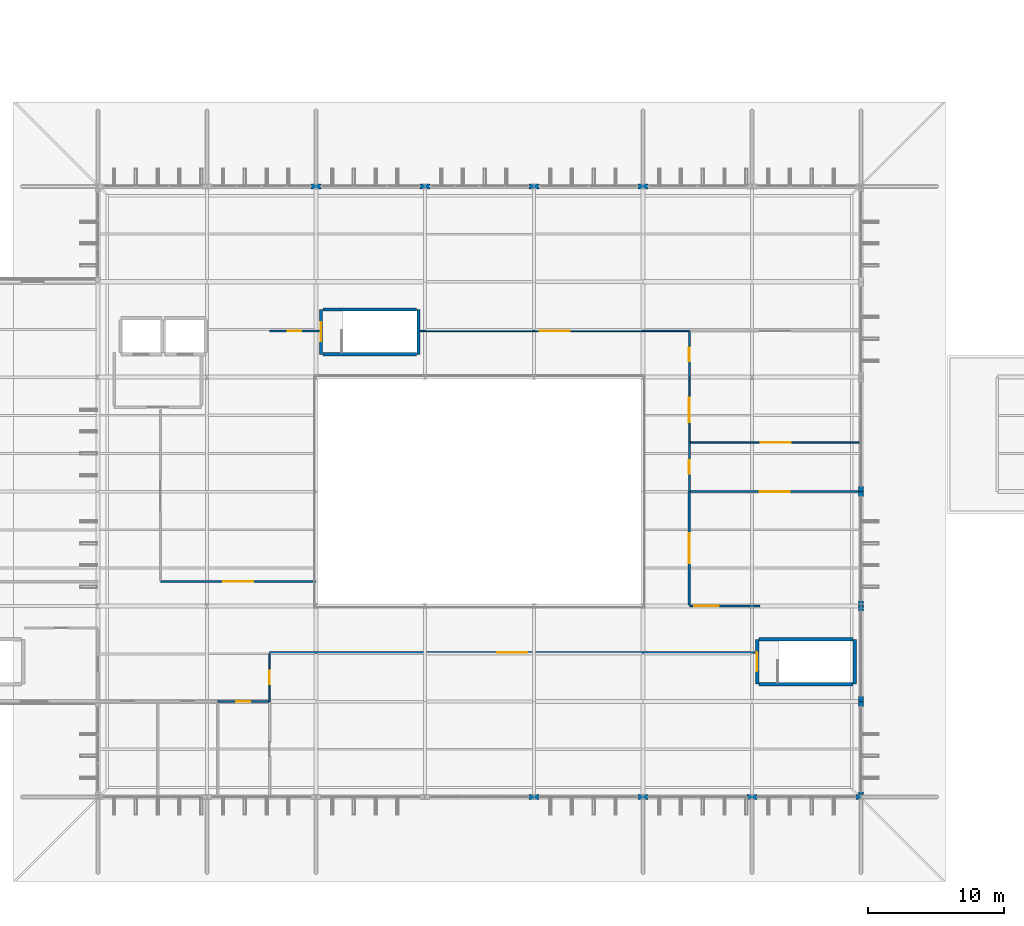
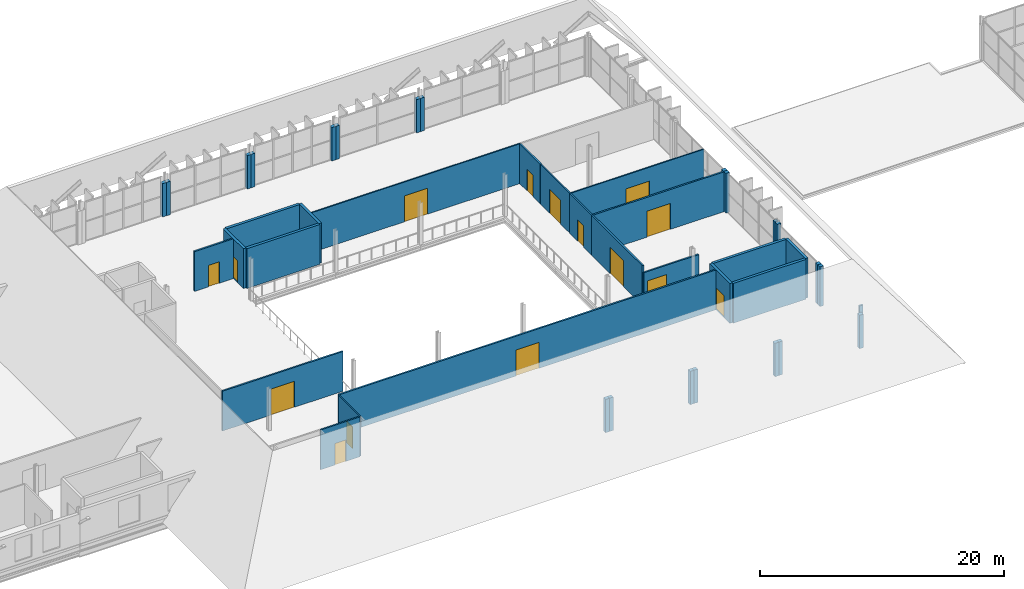
# One storey, part 82 of 93: 43 walls, 15 doors, 15 openings.
"""IFC4 building model written with IfcOpenShell, lengths in metres."""

import ifcopenshell
import ifcopenshell.guid

model = None  # the IFC model being written
_history = None  # IfcOwnerHistory: only IFC2X3 demands one
_inside = {}  # id of a spatial element -> (the spatial element, [elements in it])
_under = {}  # id of a project, library or spatial element -> (it, [spatial elements below it])
_declared = {}  # id of a project -> (the project, [libraries it declares])
_typed = {}  # id of a type object -> (the type object, [elements of that type])
_made_of = {}  # id of a material, layer set ... -> (it, [elements and type objects made of it])


def new_model(schema):
    """Start an empty IFC model of exactly this schema.

    Asked for "IFC4X3", IfcOpenShell would pick the latest addendum, in which some entities
    have other attributes; the version numbers below select the first issue.
    IFC2X3 requires an IfcOwnerHistory on every rooted entity: one is made here for all.
    """
    global model, _history
    if schema == "IFC4X3":
        model = ifcopenshell.file(schema_version=(4, 3, 0, 0))
    else:
        model = ifcopenshell.file(schema=schema)
    _inside.clear()
    _under.clear()
    _declared.clear()
    _typed.clear()
    _made_of.clear()
    _history = None
    if model.schema == "IFC2X3":
        org = make("IfcOrganization", Name="unknown")
        user = make(
            "IfcPersonAndOrganization",
            ThePerson=make("IfcPerson", FamilyName="unknown"),
            TheOrganization=org,
        )
        app = make(
            "IfcApplication",
            ApplicationDeveloper=org,
            Version="unknown",
            ApplicationFullName="unknown",
            ApplicationIdentifier="unknown",
        )
        _history = make(
            "IfcOwnerHistory",
            OwningUser=user,
            OwningApplication=app,
            ChangeAction="ADDED",
            CreationDate=0,
        )
    return model


def make(cls, **values):
    """One entity of the class cls with the attributes given. An attribute that is None is left unset."""
    return model.create_entity(
        cls, **{name: value for name, value in values.items() if value is not None}
    )


def rooted(cls, **values):
    """An entity with a GlobalId (a new one), such as an element, a storey or a relation."""
    return make(cls, GlobalId=ifcopenshell.guid.new(), OwnerHistory=_history, **values)


def si_unit(unit_type, name, prefix=None):
    """IfcSIUnit, for example si_unit("LENGTHUNIT", "METRE", prefix="MILLI")."""
    return make("IfcSIUnit", UnitType=unit_type, Prefix=prefix, Name=name)


def assignment(units):
    """IfcUnitAssignment: the units of a project."""
    return None if units is None else make("IfcUnitAssignment", Units=units)


def point(xyz):
    """IfcCartesianPoint."""
    return None if xyz is None else make("IfcCartesianPoint", Coordinates=xyz)


def direction(xyz):
    """IfcDirection."""
    return None if xyz is None else make("IfcDirection", DirectionRatios=xyz)


def frame(location, z_axis=None, x_axis=None):
    """IfcAxis2Placement3D, a coordinate frame: its origin and axes. An axis left out is left unset."""
    return make(
        "IfcAxis2Placement3D",
        Location=point(location),
        Axis=direction(z_axis),
        RefDirection=direction(x_axis),
    )


def frame_2d(location, x_axis=None):
    """IfcAxis2Placement2D, a coordinate frame in the plane: its origin and x axis."""
    return make(
        "IfcAxis2Placement2D", Location=point(location), RefDirection=direction(x_axis)
    )


def origin():
    """The frame at (0, 0, 0) with its axes left unset."""
    return frame((0.0, 0.0, 0.0))


def place(relative_to, where):
    """IfcLocalPlacement: puts the frame where relative to a parent placement (None: the world)."""
    return make(
        "IfcLocalPlacement", PlacementRelTo=relative_to, RelativePlacement=where
    )


def context(
    kind, dimensions, precision=None, world=None, true_north=None, identifier=None
):
    """IfcGeometricRepresentationContext, for example the 3D "Model" context."""
    return make(
        "IfcGeometricRepresentationContext",
        ContextIdentifier=identifier,
        ContextType=kind,
        CoordinateSpaceDimension=dimensions,
        Precision=precision,
        WorldCoordinateSystem=world,
        TrueNorth=true_north,
    )


def subcontext(parent, identifier, kind, view, scale=None):
    """IfcGeometricRepresentationSubContext, for example "Body" below "Model"."""
    return make(
        "IfcGeometricRepresentationSubContext",
        ContextIdentifier=identifier,
        ContextType=kind,
        ParentContext=parent,
        TargetScale=scale,
        TargetView=view,
    )


def project(units=None, contexts=None):
    """IfcProject with its units and contexts."""
    return rooted(
        "IfcProject",
        Name="project",
        RepresentationContexts=contexts,
        UnitsInContext=assignment(units),
    )


def spatial(cls, under=None, at=None, **own):
    """A site, building, storey or space (cls), placed at a placement, below another one or the project."""
    s = rooted(cls, ObjectPlacement=at, **own)
    if under is not None:
        _under.setdefault(under.id(), (under, []))[1].append(s)
    return s


def profile(cls, at=None, kind="AREA", **sizes):
    """A parametric profile (cls). Its sizes go by their IFC names, for example OverallWidth=200.0."""
    return make(cls, ProfileType=kind, Position=at, **sizes)


def rectangle(**sizes):
    """IfcRectangleProfileDef."""
    return profile("IfcRectangleProfileDef", **sizes)


def extrude(swept, where, along, depth):
    """IfcExtrudedAreaSolid: the profile swept, set in the frame where, extruded along a direction by depth."""
    return make(
        "IfcExtrudedAreaSolid",
        SweptArea=swept,
        Position=where,
        ExtrudedDirection=direction(along),
        Depth=depth,
    )


def shape(context_of_items, identifier, shape_type, items):
    """IfcShapeRepresentation: the items that make up one representation, for example the "Body"."""
    return make(
        "IfcShapeRepresentation",
        ContextOfItems=context_of_items,
        RepresentationIdentifier=identifier,
        RepresentationType=shape_type,
        Items=items,
    )


def material(Name=None, Category=None):
    """IfcMaterial."""
    return make("IfcMaterial", Name=Name, Category=Category)


def layer(
    of_material, thickness, ventilated=None, Name=None, Category=None, Priority=None
):
    """IfcMaterialLayer: one layer of a wall or slab, of a material (None: an air gap)."""
    return make(
        "IfcMaterialLayer",
        Material=of_material,
        LayerThickness=thickness,
        IsVentilated=ventilated,
        Name=Name,
        Category=Category,
        Priority=Priority,
    )


def layer_set(layers, Name=None):
    """IfcMaterialLayerSet."""
    return make("IfcMaterialLayerSet", MaterialLayers=layers, LayerSetName=Name)


def made_of(thing, what):
    """Note that an element or type object is made of a material, layer set ...; save() writes the relation."""
    if what is not None:
        _made_of.setdefault(what.id(), (what, []))[1].append(thing)
    return thing


def type_object(cls, material=None, **own):
    """A type object (cls), such as IfcWallType, which elements share."""
    return made_of(rooted(cls, **own), material)


def element(
    cls,
    number,
    at=None,
    inside=None,
    cuts=None,
    type_object=None,
    material=None,
    context=None,
    identifier="Body",
    shape_type=None,
    held_by="IfcProductDefinitionShape",
    body=None,
    shapes=None,
    **own,
):
    """One element of the class cls, such as IfcWall. Its Tag is "e" and its number.

    at: its placement. inside: the storey or other place that contains it. cuts: it is an
    opening in that element (IfcRelVoidsElement). A single representation is given by context,
    identifier, shape_type and body (its items); several are given by shapes. held_by: the class
    of the entity that holds the representations. save() writes the other relations.
    """
    e = rooted(cls, Tag="e%d" % number, ObjectPlacement=at, **own)
    if body is not None:
        shapes = [shape(context, identifier, shape_type, body)]
    if shapes is not None:
        e.Representation = make(held_by, Representations=shapes)
    if inside is not None:
        _inside.setdefault(inside.id(), (inside, []))[1].append(e)
    if cuts is not None:
        rooted(
            "IfcRelVoidsElement", RelatingBuildingElement=cuts, RelatedOpeningElement=e
        )
    if type_object is not None:
        _typed.setdefault(type_object.id(), (type_object, []))[1].append(e)
    return made_of(e, material)


def fill(opening, filler):
    """IfcRelFillsElement: the door or window that sits in an opening."""
    return rooted(
        "IfcRelFillsElement",
        RelatingOpeningElement=opening,
        RelatedBuildingElement=filler,
    )


def aggregate(whole, parts):
    """IfcRelAggregates: a whole, such as a stair, and the parts it consists of."""
    return rooted("IfcRelAggregates", RelatingObject=whole, RelatedObjects=parts)


def save(model, path):
    """Write the relations noted so far, then the file.

    IfcRelAggregates (storeys below a building ...), IfcRelContainedInSpatialStructure (elements
    in a storey), IfcRelDefinesByType, IfcRelAssociatesMaterial and IfcRelDeclares: one each for
    every whole, place, type object, material and project.
    """
    for whole, parts in _under.values():
        aggregate(whole, parts)
    for where, things in _inside.values():
        rooted(
            "IfcRelContainedInSpatialStructure",
            RelatedElements=things,
            RelatingStructure=where,
        )
    for kind, things in _typed.values():
        rooted("IfcRelDefinesByType", RelatedObjects=things, RelatingType=kind)
    for what, things in _made_of.values():
        rooted("IfcRelAssociatesMaterial", RelatedObjects=things, RelatingMaterial=what)
    for by, libraries in _declared.values():
        rooted("IfcRelDeclares", RelatingContext=by, RelatedDefinitions=libraries)
    model.write(path)


model = new_model("IFC4")

# Units and contexts
model_context = context("Model", 3, precision=1e-05, world=origin(), true_north=direction((0.0, 1.0)))
body_context = subcontext(model_context, "Body", "Model", "MODEL_VIEW")
ifc_project = project(units=[si_unit("LENGTHUNIT", "METRE"), si_unit("AREAUNIT", "SQUARE_METRE"), si_unit("VOLUMEUNIT", "CUBIC_METRE"), si_unit("PLANEANGLEUNIT", "RADIAN"), si_unit("MASSUNIT", "GRAM", prefix="KILO")], contexts=[model_context])

# Site, building, storey
site_placement = place(None, origin())
site = spatial("IfcSite", under=ifc_project, at=site_placement, CompositionType="ELEMENT")
building_placement = place(site_placement, origin())
building = spatial("IfcBuilding", under=site, at=building_placement, Name="Vekula Escarpment Museum", CompositionType="ELEMENT")
storey_placement = place(building_placement, frame((0.0, 0.0, 22.199951171875)))
storey = spatial("IfcBuildingStorey", under=building, at=storey_placement, Name="L05", CompositionType="ELEMENT", Elevation=22.199951171875)

# Walls
ifc_material_1 = material(Name="Inkisi arkosic sandstone masonry", Category="masonry")
ifc_layer_1 = layer(ifc_material_1, 0.35009765625)
ifc_layer_set_1 = layer_set([ifc_layer_1], Name="Inkisi arkosic sandstone masonry")
wall_type_1 = type_object("IfcWallType", Name="WL-ALM-350", PredefinedType="SOLIDWALL", material=ifc_layer_set_1)
for number, where, z_axis, x_axis, name in (
    (1, (101.639892578125, 45.60009765625, 0.0), (0.0, 0.0, 1.0), (1.0, 0.0, 0.0), "Facade Jamb Pier L05-0825B"),
    (2, (102.0, 45.60009765625, 0.0), (0.0, 0.0, 1.0), (1.0, 0.0, 0.0), "Facade Jamb Pier L05-0826A"),
    (3, (109.639892578125, 45.60009765625, 0.0), (0.0, 0.0, 1.0), (1.0, 0.0, 0.0), "Facade Jamb Pier L05-0827B"),
    (4, (110.0, 45.60009765625, 0.0), (0.0, 0.0, 1.0), (1.0, 0.0, 0.0), "Facade Jamb Pier L05-0828A"),
    (5, (117.639892578125, 45.60009765625, 0.0), (0.0, 0.0, 1.0), (1.0, 0.0, 0.0), "Facade Jamb Pier L05-0829B"),
    (6, (118.0, 45.60009765625, 0.0), (0.0, 0.0, 1.0), (1.0, 0.0, 0.0), "Facade Jamb Pier L05-0830A"),
    (7, (125.639892578125, 45.60009765625, 0.0), (0.0, 0.0, 1.0), (1.0, 0.0, 0.0), "Facade Jamb Pier L05-0831B"),
):
    element("IfcWall", number, at=place(storey_placement, frame(where, z_axis=z_axis, x_axis=x_axis)), inside=storey, type_object=wall_type_1, Name=name, PredefinedType="SOLIDWALL", context=body_context, shape_type="SweptSolid", body=[
        extrude(rectangle(XDim=0.360107421875, YDim=0.35009765625, at=frame_2d((0.18017578125, 0.0))), origin(), (0.0, 0.0, 1.0), 3.3349609375),
    ])
wall_1_placement = place(storey_placement, frame((126.0, 45.779052734375, 0.0), z_axis=(0.0, 0.0, 1.0), x_axis=(0.0, 1.0, 0.0)))
element("IfcWall", 8, at=wall_1_placement, inside=storey, type_object=wall_type_1, Name="Facade Jamb Pier L05-0832A", PredefinedType="SOLIDWALL", context=body_context, shape_type="SweptSolid", body=[
    extrude(rectangle(XDim=0.180908203125, YDim=0.35009765625, at=frame_2d((0.09033203125, 0.0))), origin(), (0.0, 0.0, 1.0), 3.97998046875),
])
wall_2_placement = place(storey_placement, frame((126.0, 52.239990234375, 0.0), z_axis=(0.0, 0.0, 1.0), x_axis=(0.0, 1.0, 0.0)))
element("IfcWall", 9, at=wall_2_placement, inside=storey, type_object=wall_type_1, Name="Facade Jamb Pier L05-0833B", PredefinedType="SOLIDWALL", context=body_context, shape_type="SweptSolid", body=[
    extrude(rectangle(XDim=0.360107421875, YDim=0.35009765625, at=frame_2d((0.18017578125, 0.0))), origin(), (0.0, 0.0, 1.0), 3.97998046875),
])
wall_3_placement = place(storey_placement, frame((126.0, 52.60009765625, 0.0), z_axis=(0.0, 0.0, 1.0), x_axis=(0.0, 1.0, 0.0)))
element("IfcWall", 10, at=wall_3_placement, inside=storey, type_object=wall_type_1, Name="Facade Jamb Pier L05-0834A", PredefinedType="SOLIDWALL", context=body_context, shape_type="SweptSolid", body=[
    extrude(rectangle(XDim=0.35986328125, YDim=0.35009765625, at=frame_2d((0.179931640625, 0.0))), origin(), (0.0, 0.0, 1.0), 3.97998046875),
])
wall_4_placement = place(storey_placement, frame((126.0, 59.239990234375, 0.0), z_axis=(0.0, 0.0, 1.0), x_axis=(0.0, 1.0, 0.0)))
element("IfcWall", 11, at=wall_4_placement, inside=storey, type_object=wall_type_1, Name="Facade Jamb Pier L05-0835B", PredefinedType="SOLIDWALL", context=body_context, shape_type="SweptSolid", body=[
    extrude(rectangle(XDim=0.360107421875, YDim=0.35009765625, at=frame_2d((0.18017578125, 0.0))), origin(), (0.0, 0.0, 1.0), 3.97998046875),
])
wall_5_placement = place(storey_placement, frame((126.0, 59.60009765625, 0.0), z_axis=(0.0, 0.0, 1.0), x_axis=(0.0, 1.0, 0.0)))
element("IfcWall", 12, at=wall_5_placement, inside=storey, type_object=wall_type_1, Name="Facade Jamb Pier L05-0836A", PredefinedType="SOLIDWALL", context=body_context, shape_type="SweptSolid", body=[
    extrude(rectangle(XDim=0.35986328125, YDim=0.35009765625, at=frame_2d((0.179931640625, 0.0))), origin(), (0.0, 0.0, 1.0), 3.97998046875),
])
for number, where, z_axis, x_axis, name in (
    (13, (126.0, 67.639892578125, 0.0), (0.0, 0.0, 1.0), (0.0, 1.0, 0.0), "Facade Jamb Pier L05-0837B"),
    (14, (126.0, 68.0, 0.0), (0.0, 0.0, 1.0), (0.0, 1.0, 0.0), "Facade Jamb Pier L05-0838A"),
):
    element("IfcWall", number, at=place(storey_placement, frame(where, z_axis=z_axis, x_axis=x_axis)), inside=storey, type_object=wall_type_1, Name=name, PredefinedType="SOLIDWALL", context=body_context, shape_type="SweptSolid", body=[
        extrude(rectangle(XDim=0.360107421875, YDim=0.35009765625, at=frame_2d((0.18017578125, 0.0))), origin(), (0.0, 0.0, 1.0), 3.97998046875),
    ])
for number, where, z_axis, x_axis, name in (
    (15, (110.360107421875, 90.39990234375, 0.0), (0.0, 0.0, 1.0), (-1.0, 0.0, 0.0), "Facade Jamb Pier L05-0847B"),
    (16, (110.0, 90.39990234375, 0.0), (0.0, 0.0, 1.0), (-1.0, 0.0, 0.0), "Facade Jamb Pier L05-0848A"),
    (17, (102.360107421875, 90.39990234375, 0.0), (0.0, 0.0, 1.0), (-1.0, 0.0, 0.0), "Facade Jamb Pier L05-0849B"),
    (18, (102.0, 90.39990234375, 0.0), (0.0, 0.0, 1.0), (-1.0, 0.0, 0.0), "Facade Jamb Pier L05-0850A"),
    (19, (94.360107421875, 90.39990234375, 0.0), (0.0, 0.0, 1.0), (-1.0, 0.0, 0.0), "Facade Jamb Pier L05-0851B"),
    (20, (94.0, 90.39990234375, 0.0), (0.0, 0.0, 1.0), (-1.0, 0.0, 0.0), "Facade Jamb Pier L05-0852A"),
    (21, (86.360107421875, 90.39990234375, 0.0), (0.0, 0.0, 1.0), (-1.0, 0.0, 0.0), "Facade Jamb Pier L05-0853B"),
    (22, (86.0, 90.39990234375, 0.0), (0.0, 0.0, 1.0), (-1.0, 0.0, 0.0), "Facade Jamb Pier L05-0854A"),
):
    element("IfcWall", number, at=place(storey_placement, frame(where, z_axis=z_axis, x_axis=x_axis)), inside=storey, type_object=wall_type_1, Name=name, PredefinedType="SOLIDWALL", context=body_context, shape_type="SweptSolid", body=[
        extrude(rectangle(XDim=0.360107421875, YDim=0.35009765625, at=frame_2d((0.18017578125, 0.0))), origin(), (0.0, 0.0, 1.0), 3.3349609375),
    ])

# Wall, opening, door
ifc_material_2 = material(Name="Concrete C35/45", Category="concrete")
ifc_layer_2 = layer(ifc_material_2, 0.25)
ifc_layer_set_2 = layer_set([ifc_layer_2], Name="Concrete C35/45")
wall_type_2 = type_object("IfcWallType", Name="WL-CORE-250", PredefinedType="SHEAR", material=ifc_layer_set_2)
wall_6_placement = place(storey_placement, frame((118.375, 53.875, 0.0), z_axis=(0.0, 0.0, 1.0), x_axis=(0.0, 1.0, 0.0)))
wall_6 = element("IfcWall", 23, at=wall_6_placement, inside=storey, type_object=wall_type_2, Name="Stair Core Wall ST-08 L05 W", PredefinedType="SHEAR", context=body_context, shape_type="SweptSolid", body=[
    extrude(rectangle(XDim=3.2900390625, YDim=0.25, at=frame_2d((1.64501953125, 0.0))), origin(), (0.0, 0.0, 1.0), 3.97998046875),
])
opening_1_placement = place(wall_6_placement, frame((0.945068359375, 0.0, 0.0)))
opening_1 = element("IfcOpeningElement", 24, at=opening_1_placement, cuts=wall_6, Name="Opening DR-FD60", PredefinedType="OPENING", context=body_context, shape_type="SweptSolid", body=[
    extrude(rectangle(XDim=1.39990234375, YDim=2.199951171875, at=frame_2d((0.699951171875, 1.10009765625))), frame((0.0, 0.135009765625, 0.0), z_axis=(0.0, -1.0, 0.0), x_axis=(1.0, 0.0, 0.0)), (0.0, 0.0, 1.0), 0.27001953125),
])
ifc_material_3 = material(Name="Fire-rated steel stair door", Category="steel")
door_type_1 = type_object("IfcDoorType", Name="DR-STAIR-1400x2200", OperationType="NOTDEFINED", PredefinedType="DOOR", material=ifc_material_3)
door_1_placement = place(opening_1_placement, origin())
door_1 = element("IfcDoor", 25, at=door_1_placement, inside=storey, type_object=door_type_1, Name="Protected Exit Stair Door ST-08 L05", OperationType="SINGLE_SWING_LEFT", OverallHeight=2.199951171875, OverallWidth=1.39990234375, PredefinedType="DOOR", context=body_context, shape_type="SweptSolid", body=[
    extrude(rectangle(XDim=1.39990234375, YDim=2.199951171875, at=frame_2d((0.699951171875, 1.10009765625))), frame((0.0, 0.02490234375, 0.0), z_axis=(0.0, -1.0, 0.0), x_axis=(1.0, 0.0, 0.0)), (0.0, 0.0, 1.0), 0.050048828125),
])
fill(opening_1, door_1)

# Walls
wall_7_placement = place(storey_placement, frame((125.52490234375, 53.875, 0.0), z_axis=(0.0, 0.0, 1.0), x_axis=(0.0, 1.0, 0.0)))
element("IfcWall", 26, at=wall_7_placement, inside=storey, type_object=wall_type_2, Name="Stair Core Wall ST-08 L05 E", PredefinedType="SHEAR", context=body_context, shape_type="SweptSolid", body=[
    extrude(rectangle(XDim=3.2900390625, YDim=0.25, at=frame_2d((1.64501953125, 0.0))), origin(), (0.0, 0.0, 1.0), 3.97998046875),
])
for number, where, z_axis, x_axis, name in (
    (27, (118.50390625, 53.875, 0.0), (0.0, 0.0, 1.0), (1.0, 0.0, 0.0), "Stair Core Wall ST-08 L05 S"),
    (28, (118.50390625, 57.1650390625, 0.0), (0.0, 0.0, 1.0), (1.0, 0.0, 0.0), "Stair Core Wall ST-08 L05 N"),
):
    element("IfcWall", number, at=place(storey_placement, frame(where, z_axis=z_axis, x_axis=x_axis)), inside=storey, type_object=wall_type_2, Name=name, PredefinedType="SHEAR", context=body_context, shape_type="SweptSolid", body=[
        extrude(rectangle(XDim=6.89208984375, YDim=0.25, at=frame_2d((3.446044921875, 0.0))), origin(), (0.0, 0.0, 1.0), 3.97998046875),
    ])

# Wall, opening, door
wall_8_placement = place(storey_placement, frame((86.375, 78.074951171875, 0.0), z_axis=(0.0, 0.0, 1.0), x_axis=(0.0, 1.0, 0.0)))
wall_8 = element("IfcWall", 29, at=wall_8_placement, inside=storey, type_object=wall_type_2, Name="Stair Core Wall ST-09 L05 W", PredefinedType="SHEAR", context=body_context, shape_type="SweptSolid", body=[
    extrude(rectangle(XDim=3.2900390625, YDim=0.25, at=frame_2d((1.64501953125, 0.0))), origin(), (0.0, 0.0, 1.0), 3.97998046875),
])
opening_2_placement = place(wall_8_placement, frame((0.945068359375, 0.0, 0.0)))
opening_2 = element("IfcOpeningElement", 30, at=opening_2_placement, cuts=wall_8, Name="Opening DR-FD60", PredefinedType="OPENING", context=body_context, shape_type="SweptSolid", body=[
    extrude(rectangle(XDim=1.39990234375, YDim=2.199951171875, at=frame_2d((0.699951171875, 1.10009765625))), frame((0.0, 0.135009765625, 0.0), z_axis=(0.0, -1.0, 0.0), x_axis=(1.0, 0.0, 0.0)), (0.0, 0.0, 1.0), 0.27001953125),
])
door_2_placement = place(opening_2_placement, origin())
door_2 = element("IfcDoor", 31, at=door_2_placement, inside=storey, type_object=door_type_1, Name="Protected Exit Stair Door ST-09 L05", OperationType="SINGLE_SWING_RIGHT", OverallHeight=2.199951171875, OverallWidth=1.39990234375, PredefinedType="DOOR", context=body_context, shape_type="SweptSolid", body=[
    extrude(rectangle(XDim=1.39990234375, YDim=2.199951171875, at=frame_2d((0.699951171875, 1.10009765625))), frame((0.0, 0.02490234375, 0.0), z_axis=(0.0, -1.0, 0.0), x_axis=(1.0, 0.0, 0.0)), (0.0, 0.0, 1.0), 0.050048828125),
])
fill(opening_2, door_2)

# Walls
wall_9_placement = place(storey_placement, frame((93.52490234375, 78.074951171875, 0.0), z_axis=(0.0, 0.0, 1.0), x_axis=(0.0, 1.0, 0.0)))
element("IfcWall", 32, at=wall_9_placement, inside=storey, type_object=wall_type_2, Name="Stair Core Wall ST-09 L05 E", PredefinedType="SHEAR", context=body_context, shape_type="SweptSolid", body=[
    extrude(rectangle(XDim=3.2900390625, YDim=0.25, at=frame_2d((1.64501953125, 0.0))), origin(), (0.0, 0.0, 1.0), 3.97998046875),
])
for number, where, z_axis, x_axis, name in (
    (33, (86.50390625, 78.074951171875, 0.0), (0.0, 0.0, 1.0), (1.0, 0.0, 0.0), "Stair Core Wall ST-09 L05 S"),
    (34, (86.50390625, 81.364990234375, 0.0), (0.0, 0.0, 1.0), (1.0, 0.0, 0.0), "Stair Core Wall ST-09 L05 N"),
):
    element("IfcWall", number, at=place(storey_placement, frame(where, z_axis=z_axis, x_axis=x_axis)), inside=storey, type_object=wall_type_2, Name=name, PredefinedType="SHEAR", context=body_context, shape_type="SweptSolid", body=[
        extrude(rectangle(XDim=6.89208984375, YDim=0.25, at=frame_2d((3.446044921875, 0.0))), origin(), (0.0, 0.0, 1.0), 3.97998046875),
    ])

# Wall, opening, door
ifc_material_4 = material(Name="Lightweight studio partition", Category="gypsum")
ifc_layer_3 = layer(ifc_material_4, 0.1201171875)
ifc_layer_set_3 = layer_set([ifc_layer_3], Name="Lightweight studio partition")
wall_type_3 = type_object("IfcWallType", Name="WL-PART-120", PredefinedType="PARTITIONING", material=ifc_layer_set_3)
wall_10_placement = place(storey_placement, frame((113.39990234375, 71.60009765625, 0.0), z_axis=(0.0, 0.0, 1.0), x_axis=(0.0, 1.0, 0.0)))
wall_10 = element("IfcWall", 35, at=wall_10_placement, inside=storey, type_object=wall_type_3, Name="Interior Partition WL-INT-L05-0018", PredefinedType="PARTITIONING", context=body_context, shape_type="SweptSolid", body=[
    extrude(rectangle(XDim=4.7998046875, YDim=0.1201171875, at=frame_2d((2.39990234375, 0.0))), origin(), (0.0, 0.0, 1.0), 3.97998046875),
])
opening_3_placement = place(wall_10_placement, frame((1.5, 0.0, 0.0)))
opening_3 = element("IfcOpeningElement", 36, at=opening_3_placement, cuts=wall_10, Name="Opening DR-GL18", PredefinedType="OPENING", context=body_context, shape_type="SweptSolid", body=[
    extrude(rectangle(XDim=1.800048828125, YDim=2.39990234375, at=frame_2d((0.89990234375, 1.199951171875))), frame((0.0, 0.070068359375, 0.0), z_axis=(0.0, -1.0, 0.0), x_axis=(1.0, 0.0, 0.0)), (0.0, 0.0, 1.0), 0.14013671875),
])
ifc_material_5 = material(Name="Double glazed gallery portal door", Category="steel")
door_type_2 = type_object("IfcDoorType", Name="DR-GAL-1800x2400", OperationType="NOTDEFINED", PredefinedType="DOOR", material=ifc_material_5)
door_3_placement = place(opening_3_placement, origin())
door_3 = element("IfcDoor", 37, at=door_3_placement, inside=storey, type_object=door_type_2, Name="Interior Door L05-018", OperationType="SINGLE_SWING_RIGHT", OverallHeight=2.39990234375, OverallWidth=1.800048828125, PredefinedType="DOOR", context=body_context, shape_type="SweptSolid", body=[
    extrude(rectangle(XDim=1.800048828125, YDim=2.39990234375, at=frame_2d((0.89990234375, 1.199951171875))), frame((0.0, 0.02490234375, 0.0), z_axis=(0.0, -1.0, 0.0), x_axis=(1.0, 0.0, 0.0)), (0.0, 0.0, 1.0), 0.050048828125),
])
fill(opening_3, door_3)

wall_11_placement = place(storey_placement, frame((93.654052734375, 79.800048828125, 0.0), z_axis=(0.0, 0.0, 1.0), x_axis=(1.0, 0.0, 0.0)))
wall_11 = element("IfcWall", 38, at=wall_11_placement, inside=storey, type_object=wall_type_3, Name="Interior Partition WL-INT-L05-0021", PredefinedType="PARTITIONING", context=body_context, shape_type="SweptSolid", body=[
    extrude(rectangle(XDim=19.745849609375, YDim=0.1201171875, at=frame_2d((9.873046875, 0.0))), origin(), (0.0, 0.0, 1.0), 3.97998046875),
])
opening_4_placement = place(wall_11_placement, frame((8.77294921875, 0.0, 0.0)))
opening_4 = element("IfcOpeningElement", 39, at=opening_4_placement, cuts=wall_11, Name="Opening DR-GL22", PredefinedType="OPENING", context=body_context, shape_type="SweptSolid", body=[
    extrude(rectangle(XDim=2.199951171875, YDim=2.60009765625, at=frame_2d((1.10009765625, 1.300048828125))), frame((0.0, 0.070068359375, 0.0), z_axis=(0.0, -1.0, 0.0), x_axis=(1.0, 0.0, 0.0)), (0.0, 0.0, 1.0), 0.14013671875),
])
ifc_material_6 = material(Name="Double acoustic timber gallery door", Category="wood")
door_type_3 = type_object("IfcDoorType", Name="DR-GAL-2200x2600", OperationType="NOTDEFINED", PredefinedType="DOOR", material=ifc_material_6)
door_4_placement = place(opening_4_placement, origin())
door_4 = element("IfcDoor", 40, at=door_4_placement, inside=storey, type_object=door_type_3, Name="Interior Door L05-021", OperationType="SINGLE_SWING_LEFT", OverallHeight=2.60009765625, OverallWidth=2.199951171875, PredefinedType="DOOR", context=body_context, shape_type="SweptSolid", body=[
    extrude(rectangle(XDim=2.199951171875, YDim=2.60009765625, at=frame_2d((1.10009765625, 1.300048828125))), frame((0.0, 0.02490234375, 0.0), z_axis=(0.0, -1.0, 0.0), x_axis=(1.0, 0.0, 0.0)), (0.0, 0.0, 1.0), 0.050048828125),
])
fill(opening_4, door_4)

wall_12_placement = place(storey_placement, frame((82.60009765625, 52.60009765625, 0.0), z_axis=(0.0, 0.0, 1.0), x_axis=(0.0, 1.0, 0.0)))
wall_12 = element("IfcWall", 41, at=wall_12_placement, inside=storey, type_object=wall_type_3, Name="Interior Partition WL-INT-L05-0024", PredefinedType="PARTITIONING", context=body_context, shape_type="SweptSolid", body=[
    extrude(rectangle(XDim=3.515869140625, YDim=0.1201171875, at=frame_2d((1.7578125, 0.0))), origin(), (0.0, 0.0, 1.0), 3.97998046875),
])
opening_5_placement = place(wall_12_placement, frame((1.258056640625, 0.0, 0.0)))
opening_5 = element("IfcOpeningElement", 42, at=opening_5_placement, cuts=wall_12, Name="Opening DR-OF10", PredefinedType="OPENING", context=body_context, shape_type="SweptSolid", body=[
    extrude(rectangle(XDim=1.0, YDim=2.14990234375, at=frame_2d((0.5, 1.074951171875))), frame((0.0, 0.070068359375, 0.0), z_axis=(0.0, -1.0, 0.0), x_axis=(1.0, 0.0, 0.0)), (0.0, 0.0, 1.0), 0.14013671875),
])
ifc_material_7 = material(Name="Solid core timber study door", Category="wood")
door_type_4 = type_object("IfcDoorType", Name="DR-OFF-1000x2150", OperationType="NOTDEFINED", PredefinedType="DOOR", material=ifc_material_7)
door_5_placement = place(opening_5_placement, origin())
door_5 = element("IfcDoor", 43, at=door_5_placement, inside=storey, type_object=door_type_4, Name="Interior Door L05-024", OperationType="SINGLE_SWING_RIGHT", OverallHeight=2.14990234375, OverallWidth=1.0, PredefinedType="DOOR", context=body_context, shape_type="SweptSolid", body=[
    extrude(rectangle(XDim=1.0, YDim=2.14990234375, at=frame_2d((0.5, 1.074951171875))), frame((0.0, 0.02490234375, 0.0), z_axis=(0.0, -1.0, 0.0), x_axis=(1.0, 0.0, 0.0)), (0.0, 0.0, 1.0), 0.050048828125),
])
fill(opening_5, door_5)

wall_13_placement = place(storey_placement, frame((113.47900390625, 71.60009765625, 0.0), z_axis=(0.0, 0.0, 1.0), x_axis=(1.0, 0.0, 0.0)))
wall_13 = element("IfcWall", 44, at=wall_13_placement, inside=storey, type_object=wall_type_3, Name="Interior Partition WL-INT-L05-0027", PredefinedType="PARTITIONING", context=body_context, shape_type="SweptSolid", body=[
    extrude(rectangle(XDim=12.52099609375, YDim=0.1201171875, at=frame_2d((6.260498046875, 0.0))), origin(), (0.0, 0.0, 1.0), 3.97998046875),
])
opening_6_placement = place(wall_13_placement, frame((5.160400390625, 0.0, 0.0)))
opening_6 = element("IfcOpeningElement", 45, at=opening_6_placement, cuts=wall_13, Name="Opening DR-GL22", PredefinedType="OPENING", context=body_context, shape_type="SweptSolid", body=[
    extrude(rectangle(XDim=2.199951171875, YDim=2.60009765625, at=frame_2d((1.10009765625, 1.300048828125))), frame((0.0, 0.070068359375, 0.0), z_axis=(0.0, -1.0, 0.0), x_axis=(1.0, 0.0, 0.0)), (0.0, 0.0, 1.0), 0.14013671875),
])
door_6_placement = place(opening_6_placement, origin())
door_6 = element("IfcDoor", 46, at=door_6_placement, inside=storey, type_object=door_type_3, Name="Interior Door L05-027", OperationType="SINGLE_SWING_LEFT", OverallHeight=2.60009765625, OverallWidth=2.199951171875, PredefinedType="DOOR", context=body_context, shape_type="SweptSolid", body=[
    extrude(rectangle(XDim=2.199951171875, YDim=2.60009765625, at=frame_2d((1.10009765625, 1.300048828125))), frame((0.0, 0.02490234375, 0.0), z_axis=(0.0, -1.0, 0.0), x_axis=(1.0, 0.0, 0.0)), (0.0, 0.0, 1.0), 0.050048828125),
])
fill(opening_6, door_6)

ifc_material_8 = material(Name="Moisture-resistant wet-room partition", Category="gypsum")
ifc_layer_4 = layer(ifc_material_8, 0.139892578125)
ifc_layer_set_4 = layer_set([ifc_layer_4], Name="Moisture-resistant wet-room partition")
wall_type_4 = type_object("IfcWallType", Name="WL-PART-140", PredefinedType="PARTITIONING", material=ifc_layer_set_4)
wall_14_placement = place(storey_placement, frame((78.800048828125, 52.60009765625, 0.0), z_axis=(0.0, 0.0, 1.0), x_axis=(1.0, 0.0, 0.0)))
wall_14 = element("IfcWall", 47, at=wall_14_placement, inside=storey, type_object=wall_type_4, Name="Interior Partition WL-INT-L05-0031", PredefinedType="PARTITIONING", context=body_context, shape_type="SweptSolid", body=[
    extrude(rectangle(XDim=3.725830078125, YDim=0.139892578125, at=frame_2d((1.86279296875, 0.0))), origin(), (0.0, 0.0, 1.0), 3.97998046875),
])
opening_7_placement = place(wall_14_placement, frame((1.337890625, 0.0, 0.0)))
opening_7 = element("IfcOpeningElement", 48, at=opening_7_placement, cuts=wall_14, Name="Opening DR-PM10", PredefinedType="OPENING", context=body_context, shape_type="SweptSolid", body=[
    extrude(rectangle(XDim=1.050048828125, YDim=2.14990234375, at=frame_2d((0.52490234375, 1.074951171875))), frame((0.0, 0.079833984375, 0.0), z_axis=(0.0, -1.0, 0.0), x_axis=(1.0, 0.0, 0.0)), (0.0, 0.0, 1.0), 0.159912109375),
])
ifc_material_9 = material(Name="Accessible PMR washroom door", Category="steel")
door_type_5 = type_object("IfcDoorType", Name="DR-PMR-1050x2150", OperationType="NOTDEFINED", PredefinedType="DOOR", material=ifc_material_9)
door_7_placement = place(opening_7_placement, origin())
door_7 = element("IfcDoor", 49, at=door_7_placement, inside=storey, type_object=door_type_5, Name="Interior Door L05-031", OperationType="SINGLE_SWING_LEFT", OverallHeight=2.14990234375, OverallWidth=1.050048828125, PredefinedType="DOOR", context=body_context, shape_type="SweptSolid", body=[
    extrude(rectangle(XDim=1.050048828125, YDim=2.14990234375, at=frame_2d((0.52490234375, 1.074951171875))), frame((0.0, 0.02490234375, 0.0), z_axis=(0.0, -1.0, 0.0), x_axis=(1.0, 0.0, 0.0)), (0.0, 0.0, 1.0), 0.050048828125),
])
fill(opening_7, door_7)

ifc_material_10 = material(Name="Gypsum board dry-lined partition", Category="gypsum")
ifc_layer_5 = layer(ifc_material_10, 0.14990234375)
ifc_layer_set_5 = layer_set([ifc_layer_5], Name="Gypsum board dry-lined partition")
wall_type_5 = type_object("IfcWallType", Name="WL-PART-150", PredefinedType="PARTITIONING", material=ifc_layer_set_5)
wall_15_placement = place(storey_placement, frame((74.60009765625, 61.39990234375, 0.0), z_axis=(0.0, 0.0, 1.0), x_axis=(1.0, 0.0, 0.0)))
wall_15 = element("IfcWall", 50, at=wall_15_placement, inside=storey, type_object=wall_type_5, Name="Interior Partition WL-INT-L05-0014", PredefinedType="PARTITIONING", context=body_context, shape_type="SweptSolid", body=[
    extrude(rectangle(XDim=11.39990234375, YDim=0.14990234375, at=frame_2d((5.699951171875, 0.0))), origin(), (0.0, 0.0, 1.0), 3.97998046875),
])
opening_8_placement = place(wall_15_placement, frame((4.60009765625, 0.0, 0.0)))
opening_8 = element("IfcOpeningElement", 51, at=opening_8_placement, cuts=wall_15, Name="Opening DR-GL22", PredefinedType="OPENING", context=body_context, shape_type="SweptSolid", body=[
    extrude(rectangle(XDim=2.199951171875, YDim=2.60009765625, at=frame_2d((1.10009765625, 1.300048828125))), frame((0.0, 0.0849609375, 0.0), z_axis=(0.0, -1.0, 0.0), x_axis=(1.0, 0.0, 0.0)), (0.0, 0.0, 1.0), 0.169921875),
])
door_8_placement = place(opening_8_placement, origin())
door_8 = element("IfcDoor", 52, at=door_8_placement, inside=storey, type_object=door_type_3, Name="Interior Door L05-014", OperationType="SINGLE_SWING_RIGHT", OverallHeight=2.60009765625, OverallWidth=2.199951171875, PredefinedType="DOOR", context=body_context, shape_type="SweptSolid", body=[
    extrude(rectangle(XDim=2.199951171875, YDim=2.60009765625, at=frame_2d((1.10009765625, 1.300048828125))), frame((0.0, 0.02490234375, 0.0), z_axis=(0.0, -1.0, 0.0), x_axis=(1.0, 0.0, 0.0)), (0.0, 0.0, 1.0), 0.050048828125),
])
fill(opening_8, door_8)

wall_16_placement = place(storey_placement, frame((113.39990234375, 59.60009765625, 0.0), z_axis=(0.0, 0.0, 1.0), x_axis=(1.0, 0.0, 0.0)))
wall_16 = element("IfcWall", 53, at=wall_16_placement, inside=storey, type_object=wall_type_5, Name="Interior Partition WL-INT-L05-0017", PredefinedType="PARTITIONING", context=body_context, shape_type="SweptSolid", body=[
    extrude(rectangle(XDim=5.2001953125, YDim=0.14990234375, at=frame_2d((2.60009765625, 0.0))), origin(), (0.0, 0.0, 1.0), 3.3349609375),
])
opening_9_placement = place(wall_16_placement, frame((0.35009765625, 0.0, 0.0)))
opening_9 = element("IfcOpeningElement", 54, at=opening_9_placement, cuts=wall_16, Name="Opening DR-GL18", PredefinedType="OPENING", context=body_context, shape_type="SweptSolid", body=[
    extrude(rectangle(XDim=1.800048828125, YDim=2.39990234375, at=frame_2d((0.89990234375, 1.199951171875))), frame((0.0, 0.0849609375, 0.0), z_axis=(0.0, -1.0, 0.0), x_axis=(1.0, 0.0, 0.0)), (0.0, 0.0, 1.0), 0.169921875),
])
door_9_placement = place(opening_9_placement, origin())
door_9 = element("IfcDoor", 55, at=door_9_placement, inside=storey, type_object=door_type_2, Name="Interior Door L05-017", OperationType="SINGLE_SWING_LEFT", OverallHeight=2.39990234375, OverallWidth=1.800048828125, PredefinedType="DOOR", context=body_context, shape_type="SweptSolid", body=[
    extrude(rectangle(XDim=1.800048828125, YDim=2.39990234375, at=frame_2d((0.89990234375, 1.199951171875))), frame((0.0, 0.02490234375, 0.0), z_axis=(0.0, -1.0, 0.0), x_axis=(1.0, 0.0, 0.0)), (0.0, 0.0, 1.0), 0.050048828125),
])
fill(opening_9, door_9)

wall_17_placement = place(storey_placement, frame((113.39990234375, 68.0, 0.0), z_axis=(0.0, 0.0, 1.0), x_axis=(0.0, 1.0, 0.0)))
wall_17 = element("IfcWall", 56, at=wall_17_placement, inside=storey, type_object=wall_type_5, Name="Interior Partition WL-INT-L05-0020", PredefinedType="PARTITIONING", context=body_context, shape_type="SweptSolid", body=[
    extrude(rectangle(XDim=3.60009765625, YDim=0.14990234375, at=frame_2d((1.800048828125, 0.0))), origin(), (0.0, 0.0, 1.0), 3.97998046875),
])
opening_10_placement = place(wall_17_placement, frame((1.300048828125, 0.0, 0.0)))
opening_10 = element("IfcOpeningElement", 57, at=opening_10_placement, cuts=wall_17, Name="Opening DR-OF10", PredefinedType="OPENING", context=body_context, shape_type="SweptSolid", body=[
    extrude(rectangle(XDim=1.0, YDim=2.14990234375, at=frame_2d((0.5, 1.074951171875))), frame((0.0, 0.0849609375, 0.0), z_axis=(0.0, -1.0, 0.0), x_axis=(1.0, 0.0, 0.0)), (0.0, 0.0, 1.0), 0.169921875),
])
door_10_placement = place(opening_10_placement, origin())
door_10 = element("IfcDoor", 58, at=door_10_placement, inside=storey, type_object=door_type_4, Name="Interior Door L05-020", OperationType="SINGLE_SWING_RIGHT", OverallHeight=2.14990234375, OverallWidth=1.0, PredefinedType="DOOR", context=body_context, shape_type="SweptSolid", body=[
    extrude(rectangle(XDim=1.0, YDim=2.14990234375, at=frame_2d((0.5, 1.074951171875))), frame((0.0, 0.02490234375, 0.0), z_axis=(0.0, -1.0, 0.0), x_axis=(1.0, 0.0, 0.0)), (0.0, 0.0, 1.0), 0.050048828125),
])
fill(opening_10, door_10)

wall_18_placement = place(storey_placement, frame((113.39990234375, 76.39990234375, 0.0), z_axis=(0.0, 0.0, 1.0), x_axis=(0.0, 1.0, 0.0)))
wall_18 = element("IfcWall", 59, at=wall_18_placement, inside=storey, type_object=wall_type_5, Name="Interior Partition WL-INT-L05-0023", PredefinedType="PARTITIONING", context=body_context, shape_type="SweptSolid", body=[
    extrude(rectangle(XDim=3.336181640625, YDim=0.14990234375, at=frame_2d((1.66796875, 0.0))), origin(), (0.0, 0.0, 1.0), 3.97998046875),
])
opening_11_placement = place(wall_18_placement, frame((1.16796875, 0.0, 0.0)))
opening_11 = element("IfcOpeningElement", 60, at=opening_11_placement, cuts=wall_18, Name="Opening DR-OF10", PredefinedType="OPENING", context=body_context, shape_type="SweptSolid", body=[
    extrude(rectangle(XDim=1.0, YDim=2.14990234375, at=frame_2d((0.5, 1.074951171875))), frame((0.0, 0.0849609375, 0.0), z_axis=(0.0, -1.0, 0.0), x_axis=(1.0, 0.0, 0.0)), (0.0, 0.0, 1.0), 0.169921875),
])
door_11_placement = place(opening_11_placement, origin())
door_11 = element("IfcDoor", 61, at=door_11_placement, inside=storey, type_object=door_type_4, Name="Interior Door L05-023", OperationType="SINGLE_SWING_LEFT", OverallHeight=2.14990234375, OverallWidth=1.0, PredefinedType="DOOR", context=body_context, shape_type="SweptSolid", body=[
    extrude(rectangle(XDim=1.0, YDim=2.14990234375, at=frame_2d((0.5, 1.074951171875))), frame((0.0, 0.02490234375, 0.0), z_axis=(0.0, -1.0, 0.0), x_axis=(1.0, 0.0, 0.0)), (0.0, 0.0, 1.0), 0.050048828125),
])
fill(opening_11, door_11)

ifc_material_11 = material(Name="Gypsum board gallery partition", Category="gypsum")
ifc_layer_6 = layer(ifc_material_11, 0.159912109375)
ifc_layer_set_6 = layer_set([ifc_layer_6], Name="Gypsum board gallery partition")
wall_type_6 = type_object("IfcWallType", Name="WL-PART-160", PredefinedType="PARTITIONING", material=ifc_layer_set_6)
wall_19_placement = place(storey_placement, frame((82.60009765625, 56.199951171875, 0.0), z_axis=(0.0, 0.0, 1.0), x_axis=(1.0, 0.0, 0.0)))
wall_19 = element("IfcWall", 62, at=wall_19_placement, inside=storey, type_object=wall_type_6, Name="Interior Partition WL-INT-L05-0016", PredefinedType="PARTITIONING", context=body_context, shape_type="SweptSolid", body=[
    extrude(rectangle(XDim=35.64599609375, YDim=0.159912109375, at=frame_2d((17.822998046875, 0.0))), origin(), (0.0, 0.0, 1.0), 3.97998046875),
])
opening_12_placement = place(wall_19_placement, frame((16.722900390625, 0.0, 0.0)))
opening_12 = element("IfcOpeningElement", 63, at=opening_12_placement, cuts=wall_19, Name="Opening DR-GL22", PredefinedType="OPENING", context=body_context, shape_type="SweptSolid", body=[
    extrude(rectangle(XDim=2.199951171875, YDim=2.60009765625, at=frame_2d((1.10009765625, 1.300048828125))), frame((0.0, 0.08984375, 0.0), z_axis=(0.0, -1.0, 0.0), x_axis=(1.0, 0.0, 0.0)), (0.0, 0.0, 1.0), 0.179931640625),
])
door_12_placement = place(opening_12_placement, origin())
door_12 = element("IfcDoor", 64, at=door_12_placement, inside=storey, type_object=door_type_3, Name="Interior Door L05-016", OperationType="SINGLE_SWING_RIGHT", OverallHeight=2.60009765625, OverallWidth=2.199951171875, PredefinedType="DOOR", context=body_context, shape_type="SweptSolid", body=[
    extrude(rectangle(XDim=2.199951171875, YDim=2.60009765625, at=frame_2d((1.10009765625, 1.300048828125))), frame((0.0, 0.02490234375, 0.0), z_axis=(0.0, -1.0, 0.0), x_axis=(1.0, 0.0, 0.0)), (0.0, 0.0, 1.0), 0.050048828125),
])
fill(opening_12, door_12)

wall_20_placement = place(storey_placement, frame((113.39990234375, 59.678955078125, 0.0), z_axis=(0.0, 0.0, 1.0), x_axis=(0.0, 1.0, 0.0)))
wall_20 = element("IfcWall", 65, at=wall_20_placement, inside=storey, type_object=wall_type_6, Name="Interior Partition WL-INT-L05-0019", PredefinedType="PARTITIONING", context=body_context, shape_type="SweptSolid", body=[
    extrude(rectangle(XDim=8.321044921875, YDim=0.159912109375, at=frame_2d((4.16064453125, 0.0))), origin(), (0.0, 0.0, 1.0), 3.97998046875),
])
opening_13_placement = place(wall_20_placement, frame((3.060546875, 0.0, 0.0)))
opening_13 = element("IfcOpeningElement", 66, at=opening_13_placement, cuts=wall_20, Name="Opening DR-GL22", PredefinedType="OPENING", context=body_context, shape_type="SweptSolid", body=[
    extrude(rectangle(XDim=2.199951171875, YDim=2.60009765625, at=frame_2d((1.10009765625, 1.300048828125))), frame((0.0, 0.08984375, 0.0), z_axis=(0.0, -1.0, 0.0), x_axis=(1.0, 0.0, 0.0)), (0.0, 0.0, 1.0), 0.179931640625),
])
door_13_placement = place(opening_13_placement, origin())
door_13 = element("IfcDoor", 67, at=door_13_placement, inside=storey, type_object=door_type_3, Name="Interior Door L05-019", OperationType="SINGLE_SWING_LEFT", OverallHeight=2.60009765625, OverallWidth=2.199951171875, PredefinedType="DOOR", context=body_context, shape_type="SweptSolid", body=[
    extrude(rectangle(XDim=2.199951171875, YDim=2.60009765625, at=frame_2d((1.10009765625, 1.300048828125))), frame((0.0, 0.02490234375, 0.0), z_axis=(0.0, -1.0, 0.0), x_axis=(1.0, 0.0, 0.0)), (0.0, 0.0, 1.0), 0.050048828125),
])
fill(opening_13, door_13)

wall_21_placement = place(storey_placement, frame((82.60009765625, 79.800048828125, 0.0), z_axis=(0.0, 0.0, 1.0), x_axis=(1.0, 0.0, 0.0)))
wall_21 = element("IfcWall", 68, at=wall_21_placement, inside=storey, type_object=wall_type_6, Name="Interior Partition WL-INT-L05-0022", PredefinedType="PARTITIONING", context=body_context, shape_type="SweptSolid", body=[
    extrude(rectangle(XDim=3.64599609375, YDim=0.159912109375, at=frame_2d((1.822998046875, 0.0))), origin(), (0.0, 0.0, 1.0), 3.97998046875),
])
opening_14_placement = place(wall_21_placement, frame((1.322998046875, 0.0, 0.0)))
opening_14 = element("IfcOpeningElement", 69, at=opening_14_placement, cuts=wall_21, Name="Opening DR-OF10", PredefinedType="OPENING", context=body_context, shape_type="SweptSolid", body=[
    extrude(rectangle(XDim=1.0, YDim=2.14990234375, at=frame_2d((0.5, 1.074951171875))), frame((0.0, 0.08984375, 0.0), z_axis=(0.0, -1.0, 0.0), x_axis=(1.0, 0.0, 0.0)), (0.0, 0.0, 1.0), 0.179931640625),
])
door_14_placement = place(opening_14_placement, origin())
door_14 = element("IfcDoor", 70, at=door_14_placement, inside=storey, type_object=door_type_4, Name="Interior Door L05-022", OperationType="SINGLE_SWING_RIGHT", OverallHeight=2.14990234375, OverallWidth=1.0, PredefinedType="DOOR", context=body_context, shape_type="SweptSolid", body=[
    extrude(rectangle(XDim=1.0, YDim=2.14990234375, at=frame_2d((0.5, 1.074951171875))), frame((0.0, 0.02490234375, 0.0), z_axis=(0.0, -1.0, 0.0), x_axis=(1.0, 0.0, 0.0)), (0.0, 0.0, 1.0), 0.050048828125),
])
fill(opening_14, door_14)

wall_22_placement = place(storey_placement, frame((113.48388671875, 68.0, 0.0), z_axis=(0.0, 0.0, 1.0), x_axis=(1.0, 0.0, 0.0)))
wall_22 = element("IfcWall", 71, at=wall_22_placement, inside=storey, type_object=wall_type_6, Name="Interior Partition WL-INT-L05-0028", PredefinedType="PARTITIONING", context=body_context, shape_type="SweptSolid", body=[
    extrude(rectangle(XDim=12.337158203125, YDim=0.159912109375, at=frame_2d((6.16845703125, 0.0))), origin(), (0.0, 0.0, 1.0), 3.97998046875),
])
opening_15_placement = place(wall_22_placement, frame((5.068603515625, 0.0, 0.0)))
opening_15 = element("IfcOpeningElement", 72, at=opening_15_placement, cuts=wall_22, Name="Opening DR-GL22", PredefinedType="OPENING", context=body_context, shape_type="SweptSolid", body=[
    extrude(rectangle(XDim=2.199951171875, YDim=2.60009765625, at=frame_2d((1.10009765625, 1.300048828125))), frame((0.0, 0.08984375, 0.0), z_axis=(0.0, -1.0, 0.0), x_axis=(1.0, 0.0, 0.0)), (0.0, 0.0, 1.0), 0.179931640625),
])
door_15_placement = place(opening_15_placement, origin())
door_15 = element("IfcDoor", 73, at=door_15_placement, inside=storey, type_object=door_type_3, Name="Interior Door L05-028", OperationType="SINGLE_SWING_RIGHT", OverallHeight=2.60009765625, OverallWidth=2.199951171875, PredefinedType="DOOR", context=body_context, shape_type="SweptSolid", body=[
    extrude(rectangle(XDim=2.199951171875, YDim=2.60009765625, at=frame_2d((1.10009765625, 1.300048828125))), frame((0.0, 0.02490234375, 0.0), z_axis=(0.0, -1.0, 0.0), x_axis=(1.0, 0.0, 0.0)), (0.0, 0.0, 1.0), 0.050048828125),
])
fill(opening_15, door_15)

save(model, "model.ifc")
